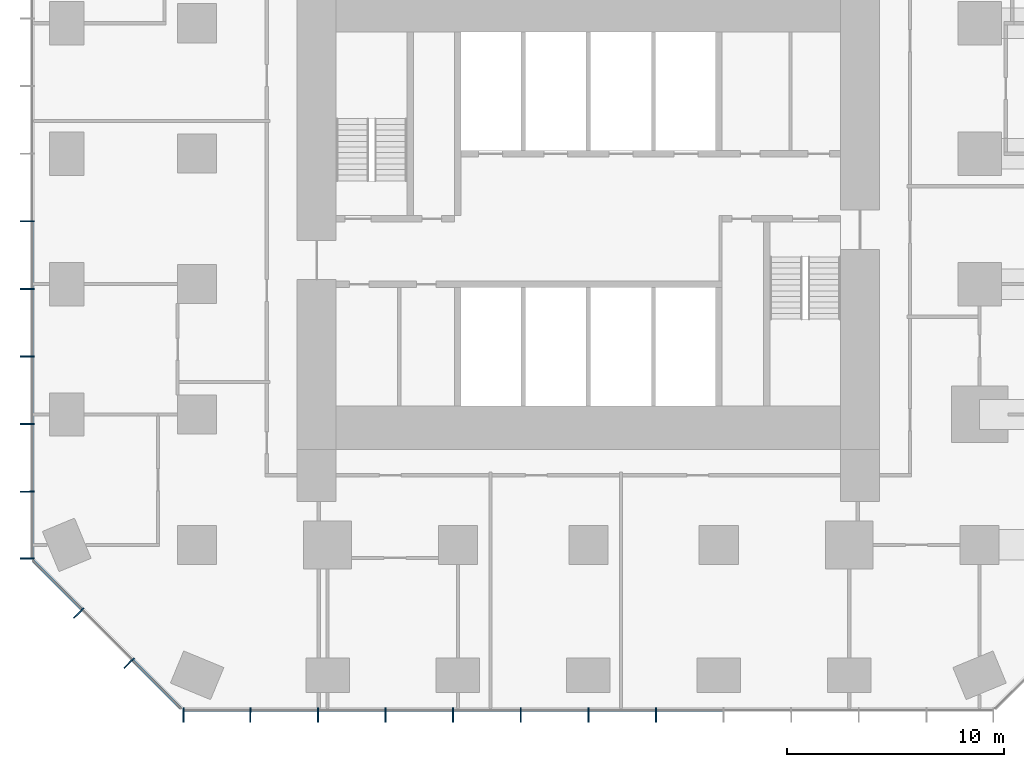
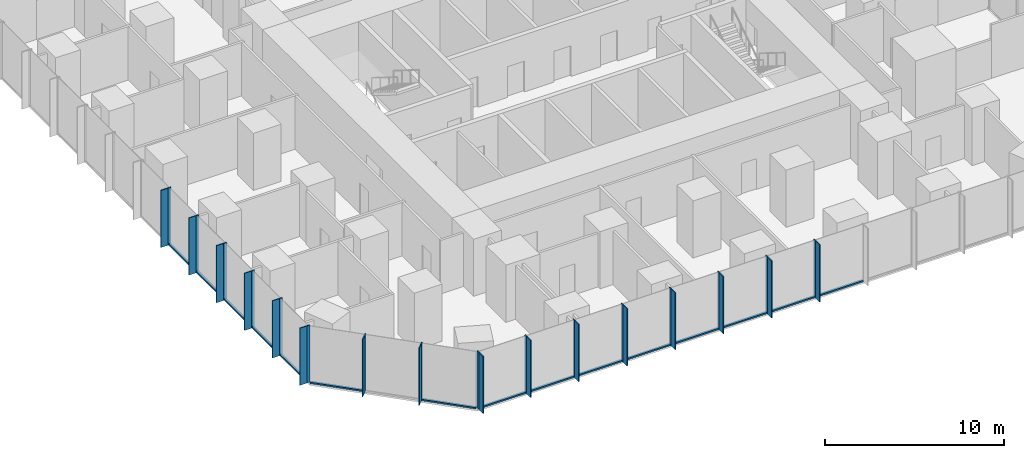
# One storey, part 2 of 12: 47 members, 3 elements without a shape of their own.
"""IFC4 building model written with IfcOpenShell, lengths in metres."""

from ifc_helpers import new_model, si_unit, direction, frame, origin, origin_2d, place, context, subcontext, project, spatial, rectangle, extrude, material, layer, layer_set, material_profile, profile_set, type_object, element, aggregate, save


model = new_model("IFC4")

# Units and contexts
model_context = context("Model", 3, precision=1e-05, world=origin(), true_north=direction((0.0, 1.0)))
body_context = subcontext(model_context, "Body", "Model", "MODEL_VIEW")
ifc_project = project(units=[si_unit("LENGTHUNIT", "METRE"), si_unit("AREAUNIT", "SQUARE_METRE"), si_unit("VOLUMEUNIT", "CUBIC_METRE"), si_unit("PLANEANGLEUNIT", "RADIAN"), si_unit("MASSUNIT", "GRAM", prefix="KILO")], contexts=[model_context])

# Site, building, storey
site_placement = place(None, origin())
site = spatial("IfcSite", under=ifc_project, at=site_placement, CompositionType="ELEMENT")
building_placement = place(site_placement, origin())
building = spatial("IfcBuilding", under=site, at=building_placement, Name="Highveld Stack Headquarters", CompositionType="ELEMENT")
storey_placement = place(building_placement, frame((0.0, 0.0, 72.800048828125)))
storey = spatial("IfcBuildingStorey", under=building, at=storey_placement, Name="L17", CompositionType="ELEMENT", Elevation=72.800048828125)

# Curtain wall, members
ifc_material_1 = material(Name="Aluminium bronze anodised", Category="aluminium")
ifc_layer_1 = layer(ifc_material_1, 0.199951171875)
ifc_layer_set_1 = layer_set([ifc_layer_1], Name="Aluminium bronze anodised")
curtain_wall_type_1 = type_object("IfcCurtainWallType", Name="CW1 TOWER UNITISED CURTAIN WALL", PredefinedType="NOTDEFINED", material=ifc_layer_set_1)
curtain_wall_1_placement = place(storey_placement, origin())
curtain_wall_1 = element("IfcCurtainWall", 1, at=curtain_wall_1_placement, inside=storey, type_object=curtain_wall_type_1, Name="Curtain wall CW1 L17 S", PredefinedType="NOTDEFINED")
ifc_material_2 = material(Name="Aluminium bronze anodised", Category="aluminium")
ifc_material_profile_1 = material_profile(ifc_material_2, rectangle(XDim=0.449951171875, YDim=0.06005859375, at=origin_2d()), Name="FIN 450x60")
ifc_profile_set_1 = profile_set([ifc_material_profile_1], Name="Aluminium bronze anodised")
member_type_1 = type_object("IfcMemberType", Name="CW1 BRONZE FIN 450x60", PredefinedType="USERDEFINED", material=ifc_profile_set_1)
member_1_placement = place(storey_placement, frame((-12.630126953125, -19.925048828125, 0.0), z_axis=(0.0, 0.0, 1.0), x_axis=(0.0, 1.0, 0.0)))
member_1 = element("IfcMember", 2, at=member_1_placement, type_object=member_type_1, Name="CW1 fin L17 1", ObjectType="FIN", PredefinedType="USERDEFINED", context=body_context, shape_type="SweptSolid", body=[
    extrude(rectangle(XDim=0.449951171875, YDim=0.06005859375, at=origin_2d()), origin(), (0.0, 0.0, 1.0), 3.89990234375),
])
member_2_placement = place(storey_placement, frame((-9.55224609375, -19.925048828125, 0.0), z_axis=(0.0, 0.0, 1.0), x_axis=(0.0, 1.0, 0.0)))
member_2 = element("IfcMember", 3, at=member_2_placement, type_object=member_type_1, Name="CW1 fin L17 2", ObjectType="FIN", PredefinedType="USERDEFINED", context=body_context, shape_type="SweptSolid", body=[
    extrude(rectangle(XDim=0.449951171875, YDim=0.06005859375, at=origin_2d()), origin(), (0.0, 0.0, 1.0), 3.89990234375),
])
member_3_placement = place(storey_placement, frame((-6.44189453125, -19.925048828125, 0.0), z_axis=(0.0, 0.0, 1.0), x_axis=(0.0, 1.0, 0.0)))
member_3 = element("IfcMember", 4, at=member_3_placement, type_object=member_type_1, Name="CW1 fin L17 3", ObjectType="FIN", PredefinedType="USERDEFINED", context=body_context, shape_type="SweptSolid", body=[
    extrude(rectangle(XDim=0.449951171875, YDim=0.06005859375, at=origin_2d()), origin(), (0.0, 0.0, 1.0), 3.89990234375),
])
member_4_placement = place(storey_placement, frame((-3.331298828125, -19.925048828125, 0.0), z_axis=(0.0, 0.0, 1.0), x_axis=(0.0, 1.0, 0.0)))
member_4 = element("IfcMember", 5, at=member_4_placement, type_object=member_type_1, Name="CW1 fin L17 4", ObjectType="FIN", PredefinedType="USERDEFINED", context=body_context, shape_type="SweptSolid", body=[
    extrude(rectangle(XDim=0.449951171875, YDim=0.06005859375, at=origin_2d()), origin(), (0.0, 0.0, 1.0), 3.89990234375),
])
member_5_placement = place(storey_placement, frame((-0.220947265625, -19.925048828125, 0.0), z_axis=(0.0, 0.0, 1.0), x_axis=(0.0, 1.0, 0.0)))
member_5 = element("IfcMember", 6, at=member_5_placement, type_object=member_type_1, Name="CW1 fin L17 5", ObjectType="FIN", PredefinedType="USERDEFINED", context=body_context, shape_type="SweptSolid", body=[
    extrude(rectangle(XDim=0.449951171875, YDim=0.06005859375, at=origin_2d()), origin(), (0.0, 0.0, 1.0), 3.89990234375),
])
member_6_placement = place(storey_placement, frame((2.8896484375, -19.925048828125, 0.0), z_axis=(0.0, 0.0, 1.0), x_axis=(0.0, 1.0, 0.0)))
member_6 = element("IfcMember", 7, at=member_6_placement, type_object=member_type_1, Name="CW1 fin L17 6", ObjectType="FIN", PredefinedType="USERDEFINED", context=body_context, shape_type="SweptSolid", body=[
    extrude(rectangle(XDim=0.449951171875, YDim=0.06005859375, at=origin_2d()), origin(), (0.0, 0.0, 1.0), 3.89990234375),
])
member_7_placement = place(storey_placement, frame((6.0, -19.925048828125, 0.0), z_axis=(0.0, 0.0, 1.0), x_axis=(0.0, 1.0, 0.0)))
member_7 = element("IfcMember", 8, at=member_7_placement, type_object=member_type_1, Name="CW1 fin L17 7", ObjectType="FIN", PredefinedType="USERDEFINED", context=body_context, shape_type="SweptSolid", body=[
    extrude(rectangle(XDim=0.449951171875, YDim=0.06005859375, at=origin_2d()), origin(), (0.0, 0.0, 1.0), 3.89990234375),
])
member_8_placement = place(storey_placement, frame((9.110595703125, -19.925048828125, 0.0), z_axis=(0.0, 0.0, 1.0), x_axis=(0.0, 1.0, 0.0)))
member_8 = element("IfcMember", 9, at=member_8_placement, type_object=member_type_1, Name="CW1 fin L17 8", ObjectType="FIN", PredefinedType="USERDEFINED", context=body_context, shape_type="SweptSolid", body=[
    extrude(rectangle(XDim=0.449951171875, YDim=0.06005859375, at=origin_2d()), origin(), (0.0, 0.0, 1.0), 3.89990234375),
])

curtain_wall_2_placement = place(storey_placement, origin())
curtain_wall_2 = element("IfcCurtainWall", 10, at=curtain_wall_2_placement, inside=storey, type_object=curtain_wall_type_1, Name="Curtain wall CW1 L17 W", PredefinedType="NOTDEFINED")
member_9_placement = place(storey_placement, frame((-19.925048828125, 2.889404296875, 0.0), z_axis=(0.0, 0.0, 1.0), x_axis=(1.0, 0.0, 0.0)))
member_9 = element("IfcMember", 11, at=member_9_placement, type_object=member_type_1, Name="CW1 fin L17 8", ObjectType="FIN", PredefinedType="USERDEFINED", context=body_context, shape_type="SweptSolid", body=[
    extrude(rectangle(XDim=0.449951171875, YDim=0.06005859375, at=origin_2d()), origin(), (0.0, 0.0, 1.0), 3.89990234375),
])
member_10_placement = place(storey_placement, frame((-19.925048828125, -0.220947265625, 0.0), z_axis=(0.0, 0.0, 1.0), x_axis=(1.0, 0.0, 0.0)))
member_10 = element("IfcMember", 12, at=member_10_placement, type_object=member_type_1, Name="CW1 fin L17 9", ObjectType="FIN", PredefinedType="USERDEFINED", context=body_context, shape_type="SweptSolid", body=[
    extrude(rectangle(XDim=0.449951171875, YDim=0.06005859375, at=origin_2d()), origin(), (0.0, 0.0, 1.0), 3.89990234375),
])
member_11_placement = place(storey_placement, frame((-19.925048828125, -3.331298828125, 0.0), z_axis=(0.0, 0.0, 1.0), x_axis=(1.0, 0.0, 0.0)))
member_11 = element("IfcMember", 13, at=member_11_placement, type_object=member_type_1, Name="CW1 fin L17 10", ObjectType="FIN", PredefinedType="USERDEFINED", context=body_context, shape_type="SweptSolid", body=[
    extrude(rectangle(XDim=0.449951171875, YDim=0.06005859375, at=origin_2d()), origin(), (0.0, 0.0, 1.0), 3.89990234375),
])
member_12_placement = place(storey_placement, frame((-19.925048828125, -6.44189453125, 0.0), z_axis=(0.0, 0.0, 1.0), x_axis=(1.0, 0.0, 0.0)))
member_12 = element("IfcMember", 14, at=member_12_placement, type_object=member_type_1, Name="CW1 fin L17 11", ObjectType="FIN", PredefinedType="USERDEFINED", context=body_context, shape_type="SweptSolid", body=[
    extrude(rectangle(XDim=0.449951171875, YDim=0.06005859375, at=origin_2d()), origin(), (0.0, 0.0, 1.0), 3.89990234375),
])
member_13_placement = place(storey_placement, frame((-19.925048828125, -9.55224609375, 0.0), z_axis=(0.0, 0.0, 1.0), x_axis=(1.0, 0.0, 0.0)))
member_13 = element("IfcMember", 15, at=member_13_placement, type_object=member_type_1, Name="CW1 fin L17 12", ObjectType="FIN", PredefinedType="USERDEFINED", context=body_context, shape_type="SweptSolid", body=[
    extrude(rectangle(XDim=0.449951171875, YDim=0.06005859375, at=origin_2d()), origin(), (0.0, 0.0, 1.0), 3.89990234375),
])
member_14_placement = place(storey_placement, frame((-19.925048828125, -12.630126953125, 0.0), z_axis=(0.0, 0.0, 1.0), x_axis=(1.0, 0.0, 0.0)))
member_14 = element("IfcMember", 16, at=member_14_placement, type_object=member_type_1, Name="CW1 fin L17 13", ObjectType="FIN", PredefinedType="USERDEFINED", context=body_context, shape_type="SweptSolid", body=[
    extrude(rectangle(XDim=0.449951171875, YDim=0.06005859375, at=origin_2d()), origin(), (0.0, 0.0, 1.0), 3.89990234375),
])

# Member
ifc_material_3 = material(Name="Aluminium bronze anodised", Category="aluminium")
ifc_material_profile_2 = material_profile(ifc_material_3, rectangle(XDim=0.199951171875, YDim=0.06494140625, at=origin_2d()), Name="CW1 MULLION 65x200")
ifc_profile_set_2 = profile_set([ifc_material_profile_2], Name="Aluminium bronze anodised")
member_type_2 = type_object("IfcMemberType", Name="CW1 MULLION 65x200", PredefinedType="MULLION", material=ifc_profile_set_2)
member_15_placement = place(storey_placement, frame((-12.630126953125, -19.60009765625, 0.0), z_axis=(0.0, 0.0, 1.0), x_axis=(0.0, 1.0, 0.0)))
member_15 = element("IfcMember", 17, at=member_15_placement, type_object=member_type_2, Name="CW1 mullion L17 1", PredefinedType="MULLION", context=body_context, shape_type="SweptSolid", body=[
    extrude(rectangle(XDim=0.199951171875, YDim=0.06494140625, at=origin_2d()), origin(), (0.0, 0.0, 1.0), 3.89990234375),
])

member_16_placement = place(storey_placement, frame((-9.55224609375, -19.60009765625, 0.0), z_axis=(0.0, 0.0, 1.0), x_axis=(0.0, 1.0, 0.0)))
member_16 = element("IfcMember", 18, at=member_16_placement, type_object=member_type_2, Name="CW1 mullion L17 2", PredefinedType="MULLION", context=body_context, shape_type="SweptSolid", body=[
    extrude(rectangle(XDim=0.199951171875, YDim=0.06494140625, at=origin_2d()), origin(), (0.0, 0.0, 1.0), 3.89990234375),
])

member_17_placement = place(storey_placement, frame((-6.44189453125, -19.60009765625, 0.0), z_axis=(0.0, 0.0, 1.0), x_axis=(0.0, 1.0, 0.0)))
member_17 = element("IfcMember", 19, at=member_17_placement, type_object=member_type_2, Name="CW1 mullion L17 3", PredefinedType="MULLION", context=body_context, shape_type="SweptSolid", body=[
    extrude(rectangle(XDim=0.199951171875, YDim=0.06494140625, at=origin_2d()), origin(), (0.0, 0.0, 1.0), 3.89990234375),
])

member_18_placement = place(storey_placement, frame((-3.331298828125, -19.60009765625, 0.0), z_axis=(0.0, 0.0, 1.0), x_axis=(0.0, 1.0, 0.0)))
member_18 = element("IfcMember", 20, at=member_18_placement, type_object=member_type_2, Name="CW1 mullion L17 4", PredefinedType="MULLION", context=body_context, shape_type="SweptSolid", body=[
    extrude(rectangle(XDim=0.199951171875, YDim=0.06494140625, at=origin_2d()), origin(), (0.0, 0.0, 1.0), 3.89990234375),
])

member_19_placement = place(storey_placement, frame((-0.220947265625, -19.60009765625, 0.0), z_axis=(0.0, 0.0, 1.0), x_axis=(0.0, 1.0, 0.0)))
member_19 = element("IfcMember", 21, at=member_19_placement, type_object=member_type_2, Name="CW1 mullion L17 5", PredefinedType="MULLION", context=body_context, shape_type="SweptSolid", body=[
    extrude(rectangle(XDim=0.199951171875, YDim=0.06494140625, at=origin_2d()), origin(), (0.0, 0.0, 1.0), 3.89990234375),
])

member_20_placement = place(storey_placement, frame((2.8896484375, -19.60009765625, 0.0), z_axis=(0.0, 0.0, 1.0), x_axis=(0.0, 1.0, 0.0)))
member_20 = element("IfcMember", 22, at=member_20_placement, type_object=member_type_2, Name="CW1 mullion L17 6", PredefinedType="MULLION", context=body_context, shape_type="SweptSolid", body=[
    extrude(rectangle(XDim=0.199951171875, YDim=0.06494140625, at=origin_2d()), origin(), (0.0, 0.0, 1.0), 3.89990234375),
])

member_21_placement = place(storey_placement, frame((6.0, -19.60009765625, 0.0), z_axis=(0.0, 0.0, 1.0), x_axis=(0.0, 1.0, 0.0)))
member_21 = element("IfcMember", 23, at=member_21_placement, type_object=member_type_2, Name="CW1 mullion L17 7", PredefinedType="MULLION", context=body_context, shape_type="SweptSolid", body=[
    extrude(rectangle(XDim=0.199951171875, YDim=0.06494140625, at=origin_2d()), origin(), (0.0, 0.0, 1.0), 3.89990234375),
])

member_22_placement = place(storey_placement, frame((9.110595703125, -19.60009765625, 0.0), z_axis=(0.0, 0.0, 1.0), x_axis=(0.0, 1.0, 0.0)))
member_22 = element("IfcMember", 24, at=member_22_placement, type_object=member_type_2, Name="CW1 mullion L17 8", PredefinedType="MULLION", context=body_context, shape_type="SweptSolid", body=[
    extrude(rectangle(XDim=0.199951171875, YDim=0.06494140625, at=origin_2d()), origin(), (0.0, 0.0, 1.0), 3.89990234375),
])

member_23_placement = place(storey_placement, frame((-19.60009765625, 2.889404296875, 0.0), z_axis=(0.0, 0.0, 1.0), x_axis=(1.0, 0.0, 0.0)))
member_23 = element("IfcMember", 25, at=member_23_placement, type_object=member_type_2, Name="CW1 mullion L17 8", PredefinedType="MULLION", context=body_context, shape_type="SweptSolid", body=[
    extrude(rectangle(XDim=0.199951171875, YDim=0.06494140625, at=origin_2d()), origin(), (0.0, 0.0, 1.0), 3.89990234375),
])

member_24_placement = place(storey_placement, frame((-19.60009765625, -0.220947265625, 0.0), z_axis=(0.0, 0.0, 1.0), x_axis=(1.0, 0.0, 0.0)))
member_24 = element("IfcMember", 26, at=member_24_placement, type_object=member_type_2, Name="CW1 mullion L17 9", PredefinedType="MULLION", context=body_context, shape_type="SweptSolid", body=[
    extrude(rectangle(XDim=0.199951171875, YDim=0.06494140625, at=origin_2d()), origin(), (0.0, 0.0, 1.0), 3.89990234375),
])

member_25_placement = place(storey_placement, frame((-19.60009765625, -3.331298828125, 0.0), z_axis=(0.0, 0.0, 1.0), x_axis=(1.0, 0.0, 0.0)))
member_25 = element("IfcMember", 27, at=member_25_placement, type_object=member_type_2, Name="CW1 mullion L17 10", PredefinedType="MULLION", context=body_context, shape_type="SweptSolid", body=[
    extrude(rectangle(XDim=0.199951171875, YDim=0.06494140625, at=origin_2d()), origin(), (0.0, 0.0, 1.0), 3.89990234375),
])

member_26_placement = place(storey_placement, frame((-19.60009765625, -6.44189453125, 0.0), z_axis=(0.0, 0.0, 1.0), x_axis=(1.0, 0.0, 0.0)))
member_26 = element("IfcMember", 28, at=member_26_placement, type_object=member_type_2, Name="CW1 mullion L17 11", PredefinedType="MULLION", context=body_context, shape_type="SweptSolid", body=[
    extrude(rectangle(XDim=0.199951171875, YDim=0.06494140625, at=origin_2d()), origin(), (0.0, 0.0, 1.0), 3.89990234375),
])

member_27_placement = place(storey_placement, frame((-19.60009765625, -9.55224609375, 0.0), z_axis=(0.0, 0.0, 1.0), x_axis=(1.0, 0.0, 0.0)))
member_27 = element("IfcMember", 29, at=member_27_placement, type_object=member_type_2, Name="CW1 mullion L17 12", PredefinedType="MULLION", context=body_context, shape_type="SweptSolid", body=[
    extrude(rectangle(XDim=0.199951171875, YDim=0.06494140625, at=origin_2d()), origin(), (0.0, 0.0, 1.0), 3.89990234375),
])

member_28_placement = place(storey_placement, frame((-19.60009765625, -12.630126953125, 0.0), z_axis=(0.0, 0.0, 1.0), x_axis=(1.0, 0.0, 0.0)))
member_28 = element("IfcMember", 30, at=member_28_placement, type_object=member_type_2, Name="CW1 mullion L17 13", PredefinedType="MULLION", context=body_context, shape_type="SweptSolid", body=[
    extrude(rectangle(XDim=0.199951171875, YDim=0.06494140625, at=origin_2d()), origin(), (0.0, 0.0, 1.0), 3.89990234375),
])

ifc_material_4 = material(Name="Aluminium bronze anodised", Category="aluminium")
ifc_material_profile_3 = material_profile(ifc_material_4, rectangle(XDim=0.14990234375, YDim=0.10009765625, at=origin_2d()), Name="CW1 TRANSOM 150x100")
ifc_profile_set_3 = profile_set([ifc_material_profile_3], Name="Aluminium bronze anodised")
member_type_3 = type_object("IfcMemberType", Name="CW1 STACK TRANSOM 150x100", PredefinedType="USERDEFINED", material=ifc_profile_set_3)
member_29_placement = place(storey_placement, frame((-12.59765625, -19.60009765625, 0.050048828125), z_axis=(1.0, 0.0, 0.0), x_axis=(0.0, 1.0, 0.0)))
member_29 = element("IfcMember", 31, at=member_29_placement, type_object=member_type_3, Name="CW1 transom L17 1.1", ObjectType="TRANSOM", PredefinedType="USERDEFINED", context=body_context, shape_type="SweptSolid", body=[
    extrude(rectangle(XDim=0.14990234375, YDim=0.10009765625, at=origin_2d()), origin(), (0.0, 0.0, 1.0), 3.012939453125),
])

member_30_placement = place(storey_placement, frame((-9.519775390625, -19.60009765625, 0.050048828125), z_axis=(1.0, 0.0, 0.0), x_axis=(0.0, 1.0, 0.0)))
member_30 = element("IfcMember", 32, at=member_30_placement, type_object=member_type_3, Name="CW1 transom L17 2.1", ObjectType="TRANSOM", PredefinedType="USERDEFINED", context=body_context, shape_type="SweptSolid", body=[
    extrude(rectangle(XDim=0.14990234375, YDim=0.10009765625, at=origin_2d()), origin(), (0.0, 0.0, 1.0), 3.04541015625),
])

member_31_placement = place(storey_placement, frame((-6.4091796875, -19.60009765625, 0.050048828125), z_axis=(1.0, 0.0, 0.0), x_axis=(0.0, 1.0, 0.0)))
member_31 = element("IfcMember", 33, at=member_31_placement, type_object=member_type_3, Name="CW1 transom L17 3.1", ObjectType="TRANSOM", PredefinedType="USERDEFINED", context=body_context, shape_type="SweptSolid", body=[
    extrude(rectangle(XDim=0.14990234375, YDim=0.10009765625, at=origin_2d()), origin(), (0.0, 0.0, 1.0), 3.04541015625),
])

member_32_placement = place(storey_placement, frame((-3.298828125, -19.60009765625, 0.050048828125), z_axis=(1.0, 0.0, 0.0), x_axis=(0.0, 1.0, 0.0)))
member_32 = element("IfcMember", 34, at=member_32_placement, type_object=member_type_3, Name="CW1 transom L17 4.1", ObjectType="TRANSOM", PredefinedType="USERDEFINED", context=body_context, shape_type="SweptSolid", body=[
    extrude(rectangle(XDim=0.14990234375, YDim=0.10009765625, at=origin_2d()), origin(), (0.0, 0.0, 1.0), 3.04541015625),
])

member_33_placement = place(storey_placement, frame((-0.1884765625, -19.60009765625, 0.050048828125), z_axis=(1.0, 0.0, 0.0), x_axis=(0.0, 1.0, 0.0)))
member_33 = element("IfcMember", 35, at=member_33_placement, type_object=member_type_3, Name="CW1 transom L17 5.1", ObjectType="TRANSOM", PredefinedType="USERDEFINED", context=body_context, shape_type="SweptSolid", body=[
    extrude(rectangle(XDim=0.14990234375, YDim=0.10009765625, at=origin_2d()), origin(), (0.0, 0.0, 1.0), 3.045654296875),
])

member_34_placement = place(storey_placement, frame((2.922119140625, -19.60009765625, 0.050048828125), z_axis=(1.0, 0.0, 0.0), x_axis=(0.0, 1.0, 0.0)))
member_34 = element("IfcMember", 36, at=member_34_placement, type_object=member_type_3, Name="CW1 transom L17 6.1", ObjectType="TRANSOM", PredefinedType="USERDEFINED", context=body_context, shape_type="SweptSolid", body=[
    extrude(rectangle(XDim=0.14990234375, YDim=0.10009765625, at=origin_2d()), origin(), (0.0, 0.0, 1.0), 3.04541015625),
])

member_35_placement = place(storey_placement, frame((6.032470703125, -19.60009765625, 0.050048828125), z_axis=(1.0, 0.0, 0.0), x_axis=(0.0, 1.0, 0.0)))
member_35 = element("IfcMember", 37, at=member_35_placement, type_object=member_type_3, Name="CW1 transom L17 7.1", ObjectType="TRANSOM", PredefinedType="USERDEFINED", context=body_context, shape_type="SweptSolid", body=[
    extrude(rectangle(XDim=0.14990234375, YDim=0.10009765625, at=origin_2d()), origin(), (0.0, 0.0, 1.0), 3.04541015625),
])

member_36_placement = place(storey_placement, frame((9.14306640625, -19.60009765625, 0.050048828125), z_axis=(1.0, 0.0, 0.0), x_axis=(0.0, 1.0, 0.0)))
member_36 = element("IfcMember", 38, at=member_36_placement, type_object=member_type_3, Name="CW1 transom L17 8.1", ObjectType="TRANSOM", PredefinedType="USERDEFINED", context=body_context, shape_type="SweptSolid", body=[
    extrude(rectangle(XDim=0.14990234375, YDim=0.10009765625, at=origin_2d()), origin(), (0.0, 0.0, 1.0), 3.04541015625),
])

aggregate(curtain_wall_1, [member_15, member_1, member_16, member_2, member_17, member_3, member_18, member_4, member_19, member_5, member_20, member_6, member_21, member_7, member_22, member_8, member_29, member_30, member_31, member_32, member_33, member_34, member_35, member_36])

member_37_placement = place(storey_placement, frame((-19.60009765625, 2.857177734375, 0.050048828125), z_axis=(0.0, -1.0, 0.0), x_axis=(1.0, 0.0, 0.0)))
member_37 = element("IfcMember", 39, at=member_37_placement, type_object=member_type_3, Name="CW1 transom L17 8.1", ObjectType="TRANSOM", PredefinedType="USERDEFINED", context=body_context, shape_type="SweptSolid", body=[
    extrude(rectangle(XDim=0.14990234375, YDim=0.10009765625, at=origin_2d()), origin(), (0.0, 0.0, 1.0), 3.045654296875),
])

member_38_placement = place(storey_placement, frame((-19.60009765625, -0.25341796875, 0.050048828125), z_axis=(0.0, -1.0, 0.0), x_axis=(1.0, 0.0, 0.0)))
member_38 = element("IfcMember", 40, at=member_38_placement, type_object=member_type_3, Name="CW1 transom L17 9.1", ObjectType="TRANSOM", PredefinedType="USERDEFINED", context=body_context, shape_type="SweptSolid", body=[
    extrude(rectangle(XDim=0.14990234375, YDim=0.10009765625, at=origin_2d()), origin(), (0.0, 0.0, 1.0), 3.04541015625),
])

member_39_placement = place(storey_placement, frame((-19.60009765625, -3.36376953125, 0.050048828125), z_axis=(0.0, -1.0, 0.0), x_axis=(1.0, 0.0, 0.0)))
member_39 = element("IfcMember", 41, at=member_39_placement, type_object=member_type_3, Name="CW1 transom L17 10.1", ObjectType="TRANSOM", PredefinedType="USERDEFINED", context=body_context, shape_type="SweptSolid", body=[
    extrude(rectangle(XDim=0.14990234375, YDim=0.10009765625, at=origin_2d()), origin(), (0.0, 0.0, 1.0), 3.04541015625),
])

member_40_placement = place(storey_placement, frame((-19.60009765625, -6.474365234375, 0.050048828125), z_axis=(0.0, -1.0, 0.0), x_axis=(1.0, 0.0, 0.0)))
member_40 = element("IfcMember", 42, at=member_40_placement, type_object=member_type_3, Name="CW1 transom L17 11.1", ObjectType="TRANSOM", PredefinedType="USERDEFINED", context=body_context, shape_type="SweptSolid", body=[
    extrude(rectangle(XDim=0.14990234375, YDim=0.10009765625, at=origin_2d()), origin(), (0.0, 0.0, 1.0), 3.04541015625),
])

member_41_placement = place(storey_placement, frame((-19.60009765625, -9.584716796875, 0.050048828125), z_axis=(0.0, -1.0, 0.0), x_axis=(1.0, 0.0, 0.0)))
member_41 = element("IfcMember", 43, at=member_41_placement, type_object=member_type_3, Name="CW1 transom L17 12.1", ObjectType="TRANSOM", PredefinedType="USERDEFINED", context=body_context, shape_type="SweptSolid", body=[
    extrude(rectangle(XDim=0.14990234375, YDim=0.10009765625, at=origin_2d()), origin(), (0.0, 0.0, 1.0), 3.012939453125),
])

aggregate(curtain_wall_2, [member_23, member_9, member_24, member_10, member_25, member_11, member_26, member_12, member_27, member_13, member_28, member_14, member_37, member_38, member_39, member_40, member_41])

# Curtain wall, members
ifc_material_5 = material(Name="Aluminium bronze anodised", Category="aluminium")
ifc_layer_2 = layer(ifc_material_5, 0.199951171875)
ifc_layer_set_2 = layer_set([ifc_layer_2], Name="Aluminium bronze anodised")
curtain_wall_type_2 = type_object("IfcCurtainWallType", Name="CW2 TOWER CHAMFER UNITISED CURTAIN WALL", PredefinedType="NOTDEFINED", material=ifc_layer_set_2)
curtain_wall_3_placement = place(storey_placement, origin())
curtain_wall_3 = element("IfcCurtainWall", 44, at=curtain_wall_3_placement, inside=storey, type_object=curtain_wall_type_2, Name="Curtain wall CW2 L17 SW", PredefinedType="NOTDEFINED")
ifc_material_6 = material(Name="Aluminium bronze anodised", Category="aluminium")
ifc_material_profile_4 = material_profile(ifc_material_6, rectangle(XDim=0.449951171875, YDim=0.06005859375, at=origin_2d()), Name="FIN 450x60")
ifc_profile_set_4 = profile_set([ifc_material_profile_4], Name="Aluminium bronze anodised")
member_type_4 = type_object("IfcMemberType", Name="CW2 BRONZE FIN 450x60", PredefinedType="USERDEFINED", material=ifc_profile_set_4)
member_42_placement = place(storey_placement, frame((-17.517333984375, -15.204833984375, 0.0), z_axis=(0.0, 0.0, 1.0), x_axis=(0.707106781187, 0.707106781187, 0.0)))
member_42 = element("IfcMember", 45, at=member_42_placement, type_object=member_type_4, Name="CW2 fin L17 1", ObjectType="FIN", PredefinedType="USERDEFINED", context=body_context, shape_type="SweptSolid", body=[
    extrude(rectangle(XDim=0.449951171875, YDim=0.06005859375, at=origin_2d()), origin(), (0.0, 0.0, 1.0), 3.89990234375),
])
member_43_placement = place(storey_placement, frame((-15.204833984375, -17.517333984375, 0.0), z_axis=(0.0, 0.0, 1.0), x_axis=(0.707106781187, 0.707106781187, 0.0)))
member_43 = element("IfcMember", 46, at=member_43_placement, type_object=member_type_4, Name="CW2 fin L17 2", ObjectType="FIN", PredefinedType="USERDEFINED", context=body_context, shape_type="SweptSolid", body=[
    extrude(rectangle(XDim=0.449951171875, YDim=0.06005859375, at=origin_2d()), origin(), (0.0, 0.0, 1.0), 3.89990234375),
])
ifc_material_7 = material(Name="Aluminium bronze anodised", Category="aluminium")
ifc_material_profile_5 = material_profile(ifc_material_7, rectangle(XDim=0.199951171875, YDim=0.06494140625, at=origin_2d()), Name="CW2 MULLION 65x200")
ifc_profile_set_5 = profile_set([ifc_material_profile_5], Name="Aluminium bronze anodised")
member_type_5 = type_object("IfcMemberType", Name="CW2 MULLION 65x200", PredefinedType="MULLION", material=ifc_profile_set_5)
member_44_placement = place(storey_placement, frame((-17.28759765625, -14.97509765625, 0.0), z_axis=(0.0, 0.0, 1.0), x_axis=(0.707106781187, 0.707106781187, 0.0)))
member_44 = element("IfcMember", 47, at=member_44_placement, type_object=member_type_5, Name="CW2 mullion L17 1", PredefinedType="MULLION", context=body_context, shape_type="SweptSolid", body=[
    extrude(rectangle(XDim=0.199951171875, YDim=0.06494140625, at=origin_2d()), origin(), (0.0, 0.0, 1.0), 3.89990234375),
])
member_45_placement = place(storey_placement, frame((-14.97509765625, -17.28759765625, 0.0), z_axis=(0.0, 0.0, 1.0), x_axis=(0.707106781187, 0.707106781187, 0.0)))
member_45 = element("IfcMember", 48, at=member_45_placement, type_object=member_type_5, Name="CW2 mullion L17 2", PredefinedType="MULLION", context=body_context, shape_type="SweptSolid", body=[
    extrude(rectangle(XDim=0.199951171875, YDim=0.06494140625, at=origin_2d()), origin(), (0.0, 0.0, 1.0), 3.89990234375),
])
ifc_material_8 = material(Name="Aluminium bronze anodised", Category="aluminium")
ifc_material_profile_6 = material_profile(ifc_material_8, rectangle(XDim=0.14990234375, YDim=0.10009765625, at=origin_2d()), Name="CW2 TRANSOM 150x100")
ifc_profile_set_6 = profile_set([ifc_material_profile_6], Name="Aluminium bronze anodised")
member_type_6 = type_object("IfcMemberType", Name="CW2 STACK TRANSOM 150x100", PredefinedType="USERDEFINED", material=ifc_profile_set_6)
member_46_placement = place(storey_placement, frame((-19.529296875, -12.7333984375, 0.050048828125), z_axis=(0.707106781187, -0.707106781187, 0.0), x_axis=(0.707106781187, 0.707106781187, 0.0)))
member_46 = element("IfcMember", 49, at=member_46_placement, type_object=member_type_6, Name="CW2 transom L17 1.1", ObjectType="TRANSOM", PredefinedType="USERDEFINED", context=body_context, shape_type="SweptSolid", body=[
    extrude(rectangle(XDim=0.14990234375, YDim=0.10009765625, at=origin_2d()), origin(), (0.0, 0.0, 1.0), 3.1376953125),
])
member_47_placement = place(storey_placement, frame((-14.9521484375, -17.310546875, 0.050048828125), z_axis=(0.707106781187, -0.707106781187, 0.0), x_axis=(0.707106781187, 0.707106781187, 0.0)))
member_47 = element("IfcMember", 50, at=member_47_placement, type_object=member_type_6, Name="CW2 transom L17 3.1", ObjectType="TRANSOM", PredefinedType="USERDEFINED", context=body_context, shape_type="SweptSolid", body=[
    extrude(rectangle(XDim=0.14990234375, YDim=0.10009765625, at=origin_2d()), origin(), (0.0, 0.0, 1.0), 3.1376953125),
])
aggregate(curtain_wall_3, [member_44, member_42, member_45, member_43, member_46, member_47])

save(model, "model.ifc")
